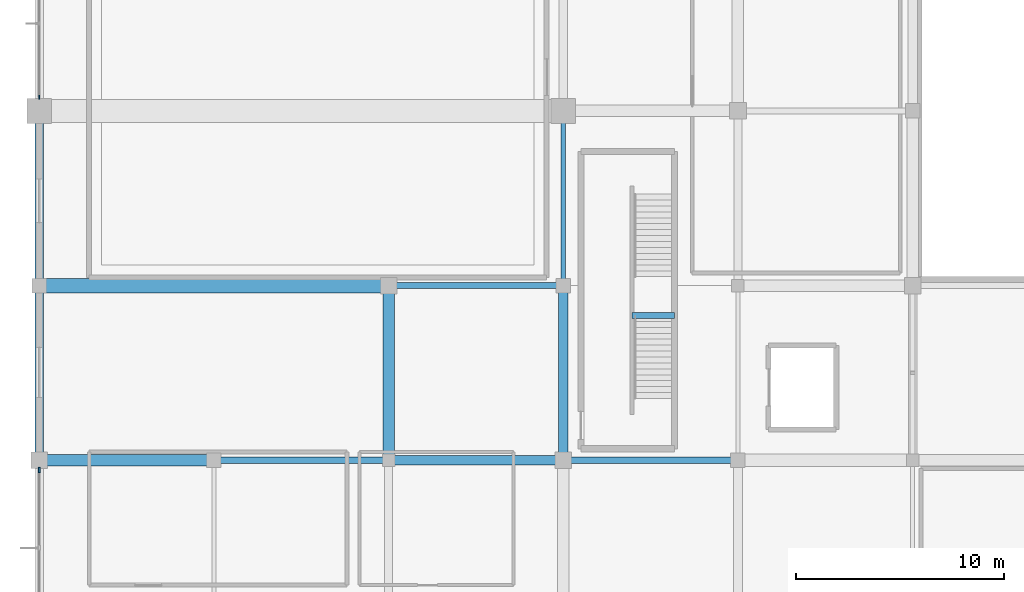
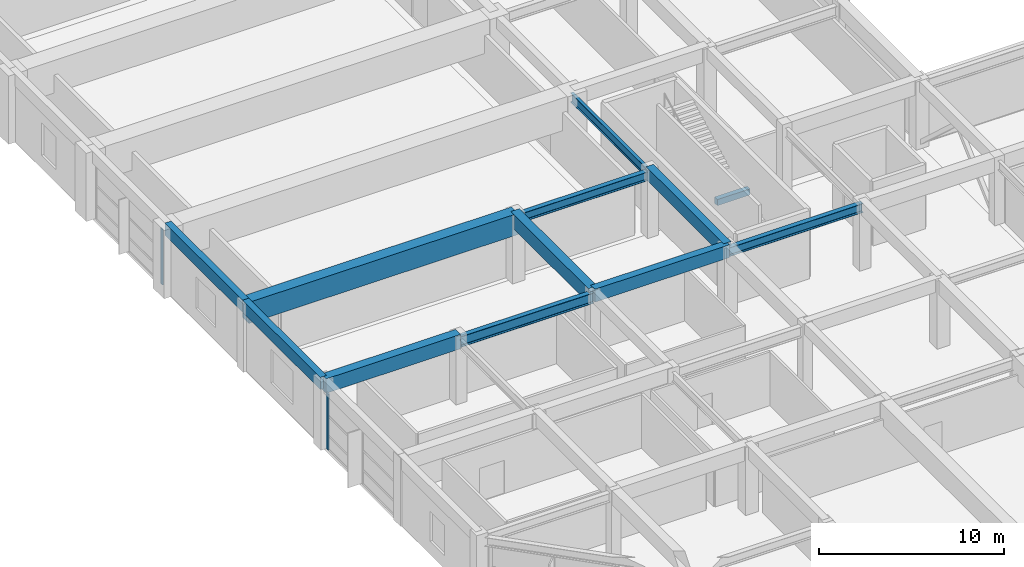
# One storey, part 13 of 65: 12 beams, 2 members, 2 elements without a shape of their own.
"""IFC4 building model written with IfcOpenShell, lengths in metres."""

from ifc_helpers import new_model, si_unit, direction, frame, origin, origin_2d, place, context, subcontext, project, spatial, rectangle, i_section, extrude, material, material_profile, profile_set, type_object, element, aggregate, save


model = new_model("IFC4")

# Units and contexts
model_context = context("Model", 3, precision=1e-05, world=origin(), true_north=direction((0.0, 1.0)))
body_context = subcontext(model_context, "Body", "Model", "MODEL_VIEW")
ifc_project = project(units=[si_unit("LENGTHUNIT", "METRE"), si_unit("AREAUNIT", "SQUARE_METRE"), si_unit("VOLUMEUNIT", "CUBIC_METRE"), si_unit("PLANEANGLEUNIT", "RADIAN"), si_unit("MASSUNIT", "GRAM", prefix="KILO")], contexts=[model_context])

# Site, building, storey
site_placement = place(None, origin())
site = spatial("IfcSite", under=ifc_project, at=site_placement, CompositionType="ELEMENT")
building_placement = place(site_placement, origin())
building = spatial("IfcBuilding", under=site, at=building_placement, Name="Xuanlan Plaza Opera House", CompositionType="ELEMENT")
storey_placement = place(building_placement, frame((0.0, 0.0, 5.39990234375)))
storey = spatial("IfcBuildingStorey", under=building, at=storey_placement, Name="L01", CompositionType="ELEMENT", Elevation=5.39990234375)

# Curtain wall, member
ifc_material_1 = material(Name="Anodised Aluminium 6063-T6 and Low-E Glass", Category="aluminium")
curtain_wall_type_1 = type_object("IfcCurtainWallType", Name="ENV-CW-CW-01", PredefinedType="USERDEFINED", material=ifc_material_1)
curtain_wall_1_placement = place(storey_placement, origin())
curtain_wall_1 = element("IfcCurtainWall", 1, at=curtain_wall_1_placement, inside=storey, type_object=curtain_wall_type_1, Name="Unitised Curtain Wall L01-054", ObjectType="UNITISED CURTAIN WALL", PredefinedType="USERDEFINED")
ifc_material_2 = material(Name="Anodised Aluminium 6063-T6", Category="aluminium")
ifc_material_profile_1 = material_profile(ifc_material_2, rectangle(XDim=0.070068359375, YDim=0.179931640625, at=origin_2d()), Name="ALU-M 70x180")
ifc_profile_set_1 = profile_set([ifc_material_profile_1], Name="Anodised Aluminium 6063-T6")
member_type_1 = type_object("IfcMemberType", Name="ENV-CWM-02", PredefinedType="MULLION", material=ifc_profile_set_1)
member_1_placement = place(storey_placement, frame((0.0, 51.054931640625, 0.0), z_axis=(0.0, 0.0, 1.0), x_axis=(1.0, 0.0, 0.0)))
member_1 = element("IfcMember", 2, at=member_1_placement, type_object=member_type_1, Name="CW-01 mullion 3", PredefinedType="MULLION", context=body_context, shape_type="SweptSolid", body=[
    extrude(rectangle(XDim=0.070068359375, YDim=0.179931640625, at=origin_2d()), origin(), (0.0, 0.0, 1.0), 3.68017578125),
])
aggregate(curtain_wall_1, [member_1])

curtain_wall_type_2 = type_object("IfcCurtainWallType", Name="ENV-CW-CW-04", PredefinedType="USERDEFINED", material=ifc_material_1)
curtain_wall_2_placement = place(storey_placement, origin())
curtain_wall_2 = element("IfcCurtainWall", 3, at=curtain_wall_2_placement, inside=storey, type_object=curtain_wall_type_2, Name="Unitised Curtain Wall L01-057", ObjectType="UNITISED CURTAIN WALL", PredefinedType="USERDEFINED")
ifc_material_profile_2 = material_profile(ifc_material_2, rectangle(XDim=0.090087890625, YDim=0.25, at=origin_2d()), Name="ALU-M 90x250")
ifc_profile_set_2 = profile_set([ifc_material_profile_2], Name="Anodised Aluminium 6063-T6")
member_type_2 = type_object("IfcMemberType", Name="ENV-CWM-05", PredefinedType="MULLION", material=ifc_profile_set_2)
member_2_placement = place(storey_placement, frame((0.0, 33.135009765625, 0.0), z_axis=(0.0, 0.0, 1.0), x_axis=(1.0, 0.0, 0.0)))
member_2 = element("IfcMember", 4, at=member_2_placement, type_object=member_type_2, Name="CW-04 mullion 1", PredefinedType="MULLION", context=body_context, shape_type="SweptSolid", body=[
    extrude(rectangle(XDim=0.090087890625, YDim=0.25, at=origin_2d()), origin(), (0.0, 0.0, 1.0), 3.68017578125),
])
aggregate(curtain_wall_2, [member_2])

# Beams
ifc_material_3 = material(Name="Concrete C50", Category="concrete")
ifc_material_profile_3 = material_profile(ifc_material_3, rectangle(XDim=0.550048828125, YDim=0.949951171875, at=origin_2d()), Name="RC-BM 550x950")
ifc_profile_set_3 = profile_set([ifc_material_profile_3], Name="Concrete C50")
beam_type_1 = type_object("IfcBeamType", Name="STR-BM-B-02", PredefinedType="BEAM", material=ifc_profile_set_3)
for number, where, z_axis, x_axis, name in (
    (5, (0.0, 33.60009765625, 4.025146484375), (1.0, 0.0, 0.0), (0.0, 1.0, 0.0), "Grid Beam X L01 1-2/E"),
    (6, (16.800048828125, 33.60009765625, 4.025146484375), (0.0, 1.0, 0.0), (-1.0, 0.0, 0.0), "Grid Beam Y L01 3/E-F"),
):
    element("IfcBeam", number, at=place(storey_placement, frame(where, z_axis=z_axis, x_axis=x_axis)), inside=storey, type_object=beam_type_1, Name=name, PredefinedType="BEAM", context=body_context, shape_type="SweptSolid", body=[
        extrude(rectangle(XDim=0.550048828125, YDim=0.949951171875, at=origin_2d()), origin(), (0.0, 0.0, 1.0), 8.39990234375),
    ])
ifc_material_4 = material(Name="Concrete C40", Category="concrete")
ifc_material_profile_4 = material_profile(ifc_material_4, rectangle(XDim=0.449951171875, YDim=0.85009765625, at=origin_2d()), Name="RC-BM 450x850")
ifc_profile_set_4 = profile_set([ifc_material_profile_4], Name="Concrete C40")
beam_type_2 = type_object("IfcBeamType", Name="STR-BM-B-04", PredefinedType="BEAM", material=ifc_profile_set_4)
for number, where, z_axis, x_axis, name in (
    (7, (16.800048828125, 33.60009765625, 4.0751953125), (1.0, 0.0, 0.0), (0.0, 1.0, 0.0), "Grid Beam X L01 3-4/E"),
    (8, (25.199951171875, 33.60009765625, 4.0751953125), (0.0, 1.0, 0.0), (-1.0, 0.0, 0.0), "Grid Beam Y L01 4/E-F"),
):
    element("IfcBeam", number, at=place(storey_placement, frame(where, z_axis=z_axis, x_axis=x_axis)), inside=storey, type_object=beam_type_2, Name=name, PredefinedType="BEAM", context=body_context, shape_type="SweptSolid", body=[
        extrude(rectangle(XDim=0.449951171875, YDim=0.85009765625, at=origin_2d()), origin(), (0.0, 0.0, 1.0), 8.39990234375),
    ])
ifc_material_profile_5 = material_profile(ifc_material_3, rectangle(XDim=0.699951171875, YDim=1.39990234375, at=origin_2d()), Name="RC-LG 700x1400")
ifc_profile_set_5 = profile_set([ifc_material_profile_5], Name="Concrete C50")
beam_type_3 = type_object("IfcBeamType", Name="STR-BM-LG-01", PredefinedType="BEAM", material=ifc_profile_set_5)
beam_1_placement = place(storey_placement, frame((0.0, 42.0, 3.800048828125), z_axis=(1.0, 0.0, 0.0), x_axis=(0.0, 1.0, 0.0)))
element("IfcBeam", 9, at=beam_1_placement, inside=storey, type_object=beam_type_3, Name="Grid Beam X L01 1-3/F", PredefinedType="BEAM", context=body_context, shape_type="SweptSolid", body=[
    extrude(rectangle(XDim=0.699951171875, YDim=1.39990234375, at=origin_2d()), origin(), (0.0, 0.0, 1.0), 16.800048828125),
])
ifc_material_profile_6 = material_profile(ifc_material_4, rectangle(XDim=0.300048828125, YDim=0.39990234375, at=origin_2d()), Name="RC-LNT 300x400")
ifc_profile_set_6 = profile_set([ifc_material_profile_6], Name="Concrete C40")
beam_type_4 = type_object("IfcBeamType", Name="STR-BM-LN-01", PredefinedType="LINTEL", material=ifc_profile_set_6)
beam_2_placement = place(storey_placement, frame((28.5, 40.56005859375, 1.85009765625), z_axis=(1.0, 0.0, 0.0), x_axis=(0.0, 1.0, 0.0)))
element("IfcBeam", 10, at=beam_2_placement, inside=storey, type_object=beam_type_4, Name="Stair Mid-Landing Trimmer Beam ST-P1 L01", PredefinedType="LINTEL", context=body_context, shape_type="SweptSolid", body=[
    extrude(rectangle(XDim=0.300048828125, YDim=0.39990234375, at=origin_2d()), origin(), (0.0, 0.0, 1.0), 2.050048828125),
])
ifc_material_5 = material(Name="Steel Q355B", Category="steel")
ifc_material_profile_7 = material_profile(ifc_material_5, i_section(OverallWidth=0.300048828125, OverallDepth=0.699951171875, WebThickness=0.012939453125, FlangeThickness=0.02392578125, FilletRadius=0.02392578125, at=origin_2d()), Name="HN 700x300x13x24")
ifc_profile_set_7 = profile_set([ifc_material_profile_7], Name="Steel Q355B")
beam_type_5 = type_object("IfcBeamType", Name="STR-BM-SB-03", PredefinedType="BEAM", material=ifc_profile_set_7)
beam_3_placement = place(storey_placement, frame((8.39990234375, 33.60009765625, 3.885009765625), z_axis=(1.0, 0.0, 0.0), x_axis=(0.0, 1.0, 0.0)))
element("IfcBeam", 11, at=beam_3_placement, inside=storey, type_object=beam_type_5, Name="Grid Beam X L01 2-3/E", PredefinedType="BEAM", context=body_context, shape_type="SweptSolid", body=[
    extrude(i_section(OverallWidth=0.300048828125, OverallDepth=0.699951171875, WebThickness=0.012939453125, FlangeThickness=0.02392578125, FilletRadius=0.02392578125, at=origin_2d()), origin(), (0.0, 0.0, 1.0), 8.400146484375),
])
ifc_material_profile_8 = material_profile(ifc_material_5, i_section(OverallWidth=0.199951171875, OverallDepth=0.60009765625, WebThickness=0.010986328125, FlangeThickness=0.01708984375, FilletRadius=0.02197265625, at=origin_2d()), Name="HN 600x200x11x17")
ifc_profile_set_8 = profile_set([ifc_material_profile_8], Name="Steel Q355B")
beam_type_6 = type_object("IfcBeamType", Name="STR-BM-SB-04", PredefinedType="BEAM", material=ifc_profile_set_8)
beam_4_placement = place(storey_placement, frame((25.199951171875, 42.0, 3.93505859375), z_axis=(0.0, 1.0, 0.0), x_axis=(-1.0, 0.0, 0.0)))
element("IfcBeam", 12, at=beam_4_placement, inside=storey, type_object=beam_type_6, Name="Grid Beam Y L01 4/F-G", PredefinedType="BEAM", context=body_context, shape_type="SweptSolid", body=[
    extrude(i_section(OverallWidth=0.199951171875, OverallDepth=0.60009765625, WebThickness=0.010986328125, FlangeThickness=0.01708984375, FilletRadius=0.02197265625, at=origin_2d()), origin(), (0.0, 0.0, 1.0), 8.39990234375),
])
ifc_material_profile_9 = material_profile(ifc_material_5, i_section(OverallWidth=0.300048828125, OverallDepth=0.587890625, WebThickness=0.011962890625, FlangeThickness=0.02001953125, FilletRadius=0.02392578125, at=origin_2d()), Name="HM 588x300x12x20")
ifc_profile_set_9 = profile_set([ifc_material_profile_9], Name="Steel Q355B")
beam_type_7 = type_object("IfcBeamType", Name="STR-BM-SB-06", PredefinedType="BEAM", material=ifc_profile_set_9)
beam_5_placement = place(storey_placement, frame((25.199951171875, 33.60009765625, 3.941162109375), z_axis=(1.0, 0.0, 0.0), x_axis=(0.0, 1.0, 0.0)))
element("IfcBeam", 13, at=beam_5_placement, inside=storey, type_object=beam_type_7, Name="Grid Beam X L01 4-5/E", PredefinedType="BEAM", context=body_context, shape_type="SweptSolid", body=[
    extrude(i_section(OverallWidth=0.300048828125, OverallDepth=0.587890625, WebThickness=0.011962890625, FlangeThickness=0.02001953125, FilletRadius=0.02392578125, at=origin_2d()), origin(), (0.0, 0.0, 1.0), 8.400146484375),
])
beam_6_placement = place(storey_placement, frame((16.800048828125, 42.0, 3.941162109375), z_axis=(1.0, 0.0, 0.0), x_axis=(0.0, 1.0, 0.0)))
element("IfcBeam", 14, at=beam_6_placement, inside=storey, type_object=beam_type_7, Name="Grid Beam X L01 3-4/F", PredefinedType="BEAM", context=body_context, shape_type="SweptSolid", body=[
    extrude(i_section(OverallWidth=0.300048828125, OverallDepth=0.587890625, WebThickness=0.011962890625, FlangeThickness=0.02001953125, FilletRadius=0.02392578125, at=origin_2d()), origin(), (0.0, 0.0, 1.0), 8.39990234375),
])
ifc_material_profile_10 = material_profile(ifc_material_4, rectangle(XDim=0.39990234375, YDim=0.800048828125, at=origin_2d()), Name="RC-SPD 400x800")
ifc_profile_set_10 = profile_set([ifc_material_profile_10], Name="Concrete C40")
beam_type_8 = type_object("IfcBeamType", Name="STR-BM-SP-01", PredefinedType="SPANDREL", material=ifc_profile_set_10)
for number, where, z_axis, x_axis, name in (
    (15, (0.0, 33.60009765625, 4.10009765625), (0.0, 1.0, 0.0), (-1.0, 0.0, 0.0), "Grid Beam Y L01 1/E-F"),
    (16, (0.0, 42.0, 4.10009765625), (0.0, 1.0, 0.0), (-1.0, 0.0, 0.0), "Grid Beam Y L01 1/F-G"),
):
    element("IfcBeam", number, at=place(storey_placement, frame(where, z_axis=z_axis, x_axis=x_axis)), inside=storey, type_object=beam_type_8, Name=name, PredefinedType="SPANDREL", context=body_context, shape_type="SweptSolid", body=[
        extrude(rectangle(XDim=0.39990234375, YDim=0.800048828125, at=origin_2d()), origin(), (0.0, 0.0, 1.0), 8.39990234375),
    ])

save(model, "model.ifc")
